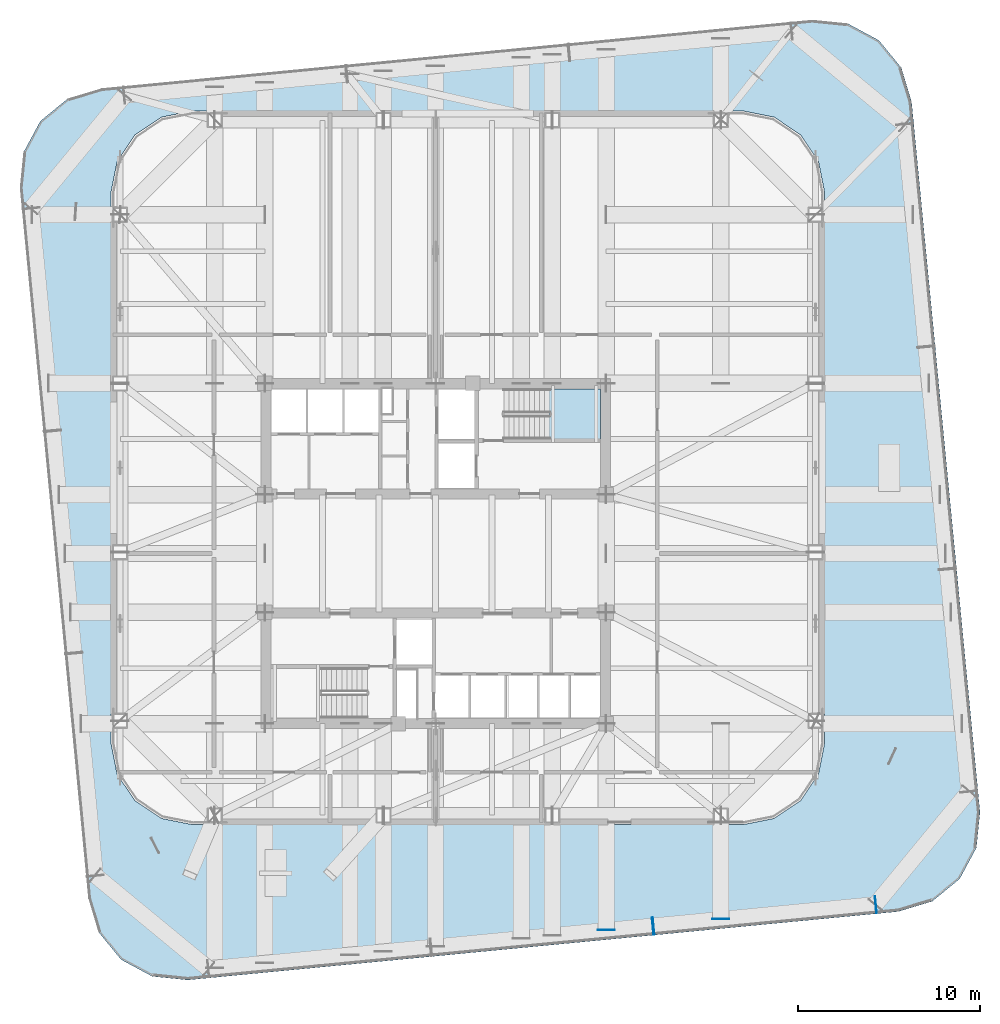
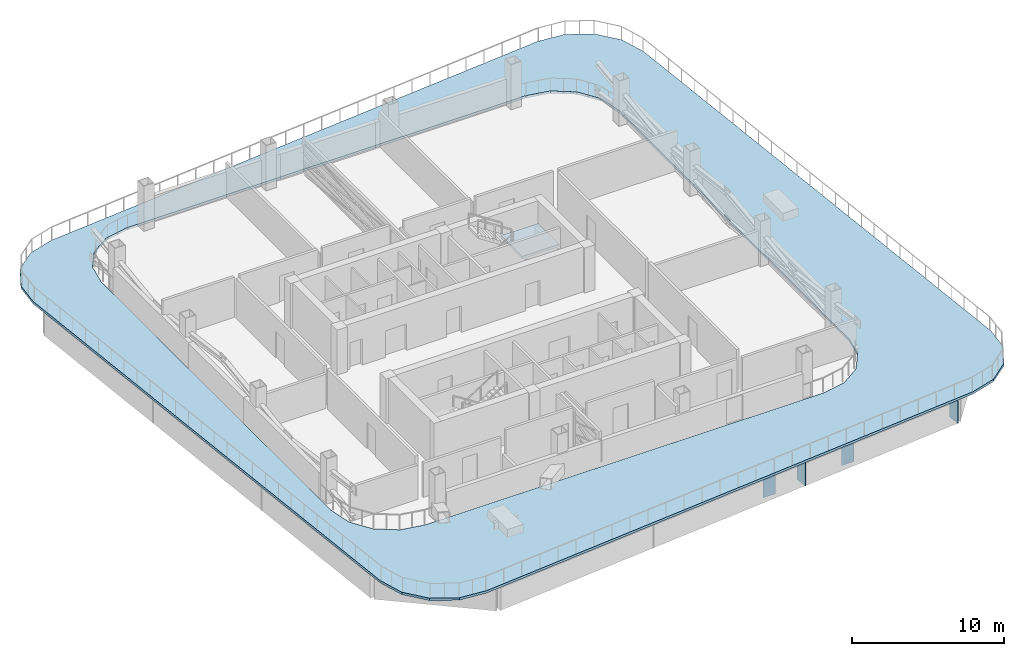
# One storey, part 5 of 15: 5 plates, 2 slabs, 1 element without a shape of its own.
"""IFC4 building model written with IfcOpenShell, lengths in metres."""

from ifc_helpers import new_model, si_unit, direction, frame, origin, origin_2d, place, context, subcontext, project, spatial, polyline, rectangle, outline, extrude, material, layer, layer_set, type_object, element, aggregate, save


model = new_model("IFC4")

# Units and contexts
model_context = context("Model", 3, precision=1e-05, world=origin(), true_north=direction((0.0, 1.0)))
body_context = subcontext(model_context, "Body", "Model", "MODEL_VIEW")
ifc_project = project(units=[si_unit("LENGTHUNIT", "METRE"), si_unit("AREAUNIT", "SQUARE_METRE"), si_unit("VOLUMEUNIT", "CUBIC_METRE"), si_unit("PLANEANGLEUNIT", "RADIAN"), si_unit("MASSUNIT", "GRAM", prefix="KILO")], contexts=[model_context])

# Site, building, storey
site_placement = place(None, origin())
site = spatial("IfcSite", under=ifc_project, at=site_placement, CompositionType="ELEMENT")
building_placement = place(site_placement, origin())
building = spatial("IfcBuilding", under=site, at=building_placement, Name="Qhalaya Broadcast Tower", CompositionType="ELEMENT")
storey_placement = place(building_placement, frame((0.0, 0.0, 101.25)))
storey = spatial("IfcBuildingStorey", under=building, at=storey_placement, Name="L29", CompositionType="ELEMENT", Elevation=101.25)

# Plates
ifc_material_1 = material(Name="Structural Steel ASTM A572 Grade 50", Category="steel")
ifc_layer_1 = layer(ifc_material_1, 0.4599609375, Name="Structural Steel ASTM A572 Grade 50")
ifc_layer_set_1 = layer_set([ifc_layer_1], Name="Structural Steel ASTM A572 Grade 50")
plate_type = type_object("IfcPlateType", Name="Hollow Box Member End Cap Plate CP-01", PredefinedType="USERDEFINED", material=ifc_layer_set_1)
for number, where, z_axis, x_axis, name in (
    (1, (11.970947265625, -19.859619140625, -2.10009765625), (0.0, 0.0, 1.0), (-0.09584575252, 0.995396198367, 0.0), "L29 Hollow Girder End Cap L29-TGL-02-B"),
    (2, (11.939208984375, -19.86279296875, -2.10009765625), (0.0, 0.0, 1.0), (-0.09584575252, 0.995396198367, 0.0), "L29 Hollow Girder End Cap L29-TGL-03-A"),
    (3, (24.18115234375, -18.68408203125, -2.10009765625), (0.0, 0.0, 1.0), (-0.09584575252, 0.995396198367, 0.0), "L29 Hollow Girder End Cap L29-TGL-03-B"),
    (4, (9.375, -20.08544921875, -2.10009765625), (0.0, 0.0, 1.0), (-1.0, 0.0, 0.0), "L29 Hollow Girder End Cap L29-TGISE-1-A"),
    (5, (15.669921875, -19.479248046875, -2.10009765625), (0.0, 0.0, 1.0), (-1.0, 0.0, 0.0), "L29 Hollow Girder End Cap L29-TGC-04-A"),
):
    element("IfcPlate", number, at=place(storey_placement, frame(where, z_axis=z_axis, x_axis=x_axis)), inside=storey, type_object=plate_type, Name=name, ObjectType="COVER_PLATE", PredefinedType="USERDEFINED", context=body_context, shape_type="SweptSolid", body=[
        extrude(rectangle(XDim=0.93994140625, YDim=0.031982421875, at=origin_2d()), origin(), (0.0, 0.0, 1.0), 1.840087890625),
    ])

# Slab
ifc_material_2 = material(Name="Concrete C40/50", Category="concrete")
ifc_layer_2 = layer(ifc_material_2, 0.25, Name="Concrete C40/50")
ifc_layer_set_2 = layer_set([ifc_layer_2], Name="Concrete C40/50")
slab_type_1 = type_object("IfcSlabType", Name="Planted Sky-Garden & Sky-Pool External Terrace Slab 250", PredefinedType="FLOOR", material=ifc_layer_set_2)
slab_1_placement = place(storey_placement, frame((0.0, 0.0, -0.18994140625)))
element("IfcSlab", 6, at=slab_1_placement, inside=storey, type_object=slab_type_1, Name="L29 Planted Sky Garden Terrace 1", PredefinedType="FLOOR", context=body_context, shape_type="SweptSolid", body=[
    extrude(outline(polyline([(25.40771484375, -19.068115234375), (27.275634765625, -18.505859375), (28.78662109375, -17.271484375), (29.7099609375, -15.552978515625), (29.9052734375, -13.612060546875), (26.148193359375, 25.40771484375), (25.5859375, 27.275634765625), (24.3515625, 28.78662109375), (22.633056640625, 29.7099609375), (20.69189453125, 29.9052734375), (-18.32763671875, 26.148193359375), (-20.19580078125, 25.5859375), (-21.70654296875, 24.3515625), (-22.6298828125, 22.633056640625), (-22.8251953125, 20.69189453125), (-19.068115234375, -18.32763671875), (-18.505859375, -20.19580078125), (-17.271484375, -21.70654296875), (-15.552978515625, -22.6298828125), (-13.612060546875, -22.8251953125), (25.40771484375, -19.068115234375)]), holes=[polyline([(16.8701171875, -14.2939453125), (-13.330078125, -14.2939453125), (-13.330322265625, -14.2939453125), (-13.330810546875, -14.2939453125), (-15.052978515625, -13.951416015625), (-15.05322265625, -13.951416015625), (-15.0537109375, -13.951171875), (-15.053955078125, -13.950927734375), (-15.05419921875, -13.95068359375), (-16.51416015625, -12.975341796875), (-16.514404296875, -12.97509765625), (-16.514892578125, -12.974853515625), (-16.51513671875, -12.974609375), (-16.515380859375, -12.97412109375), (-17.49072265625, -11.514404296875), (-17.490966796875, -11.513916015625), (-17.4912109375, -11.513671875), (-17.4912109375, -11.51318359375), (-17.491455078125, -11.512939453125), (-17.833984375, -9.790771484375), (-17.833984375, -9.790283203125), (-17.833984375, -9.7900390625), (-17.833984375, 20.409912109375), (-17.833984375, 20.410400390625), (-17.833984375, 20.410888671875), (-17.491455078125, 22.1328125), (-17.4912109375, 22.13330078125), (-17.4912109375, 22.133544921875), (-17.490966796875, 22.134033203125), (-17.49072265625, 22.13427734375), (-16.515380859375, 23.59423828125), (-16.51513671875, 23.594482421875), (-16.514892578125, 23.5947265625), (-16.514404296875, 23.59521484375), (-16.51416015625, 23.59521484375), (-15.05419921875, 24.57080078125), (-15.053955078125, 24.571044921875), (-15.0537109375, 24.5712890625), (-15.05322265625, 24.5712890625), (-15.052978515625, 24.5712890625), (-13.330810546875, 24.913818359375), (-13.330322265625, 24.9140625), (-13.330078125, 24.9140625), (16.8701171875, 24.9140625), (16.870361328125, 24.9140625), (16.870849609375, 24.913818359375), (18.593017578125, 24.5712890625), (18.59326171875, 24.5712890625), (18.593505859375, 24.5712890625), (18.593994140625, 24.571044921875), (18.59423828125, 24.57080078125), (20.05419921875, 23.59521484375), (20.054443359375, 23.59521484375), (20.0546875, 23.5947265625), (20.05517578125, 23.594482421875), (20.055419921875, 23.59423828125), (21.03076171875, 22.13427734375), (21.031005859375, 22.134033203125), (21.03125, 22.133544921875), (21.03125, 22.13330078125), (21.031494140625, 22.1328125), (21.373779296875, 20.410888671875), (21.3740234375, 20.410400390625), (21.3740234375, 20.409912109375), (21.3740234375, -9.7900390625), (21.3740234375, -9.790283203125), (21.373779296875, -9.790771484375), (21.031494140625, -11.512939453125), (21.03125, -11.51318359375), (21.03125, -11.513671875), (21.031005859375, -11.513916015625), (21.03076171875, -11.514404296875), (20.055419921875, -12.97412109375), (20.05517578125, -12.974609375), (20.0546875, -12.974853515625), (20.054443359375, -12.97509765625), (20.05419921875, -12.975341796875), (18.59423828125, -13.95068359375), (18.593994140625, -13.950927734375), (18.593505859375, -13.951171875), (18.59326171875, -13.951416015625), (18.593017578125, -13.951416015625), (16.870849609375, -14.2939453125), (16.870361328125, -14.2939453125), (16.8701171875, -14.2939453125)])]), origin(), (0.0, 0.0, 1.0), 0.18994140625),
])

# Stair, slab
stair_type = type_object("IfcStairType", Name="Protected Dogleg Core Stair 3600", PredefinedType="TWO_STRAIGHT_RUN_STAIR", material=ifc_material_2)
stair_placement = place(storey_placement, origin())
stair = element("IfcStair", 7, at=stair_placement, inside=storey, type_object=stair_type, Name="L29 North Core Exit Stair ST-1", PredefinedType="TWO_STRAIGHT_RUN_STAIR")
ifc_layer_3 = layer(ifc_material_2, 0.199951171875, Name="Concrete C40/50")
ifc_layer_set_3 = layer_set([ifc_layer_3], Name="Concrete C40/50")
slab_type_2 = type_object("IfcSlabType", Name="Stair & Ramp Half-Landing Slab 200", PredefinedType="LANDING", material=ifc_layer_set_3)
slab_2_placement = place(storey_placement, frame((0.0, 0.0, 1.60009765625)))
slab_2 = element("IfcSlab", 8, at=slab_2_placement, type_object=slab_type_2, Name="ST-1 landing 1", PredefinedType="LANDING", context=body_context, shape_type="SweptSolid", body=[
    extrude(outline(polyline([(6.235107421875, 6.8798828125), (9.050048828125, 6.8798828125), (9.050048828125, 9.639892578125), (6.235107421875, 9.639892578125), (6.235107421875, 6.8798828125)])), origin(), (0.0, 0.0, 1.0), 0.199951171875),
])
aggregate(stair, [slab_2])

save(model, "model.ifc")
